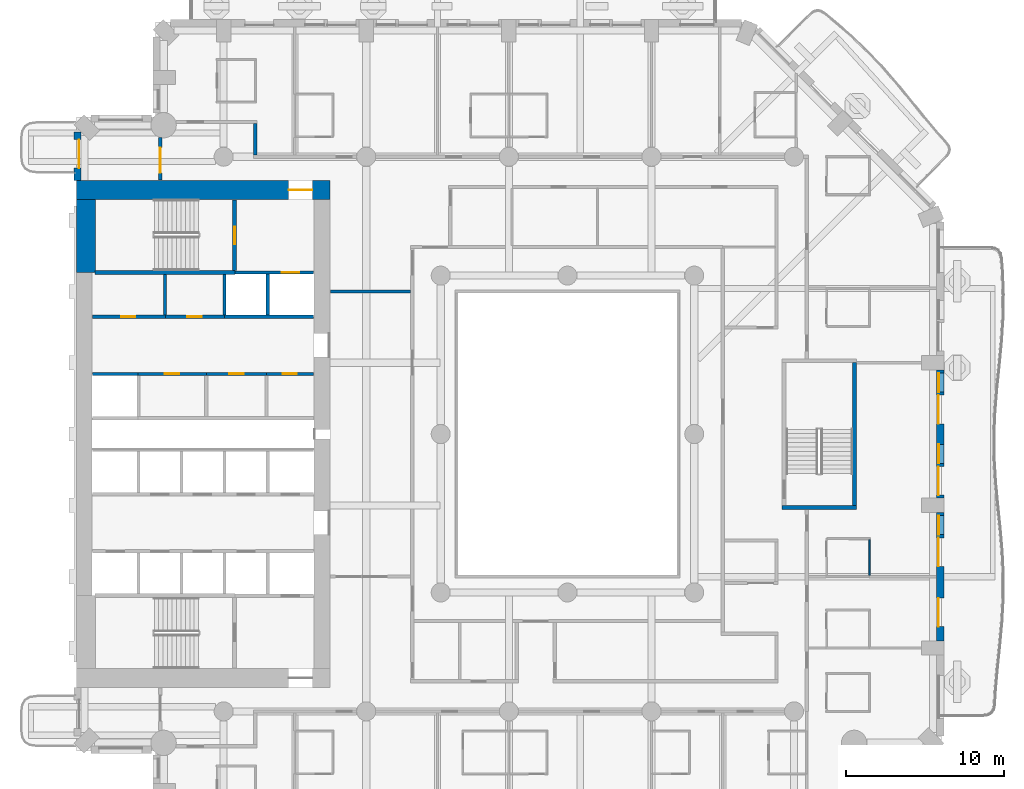
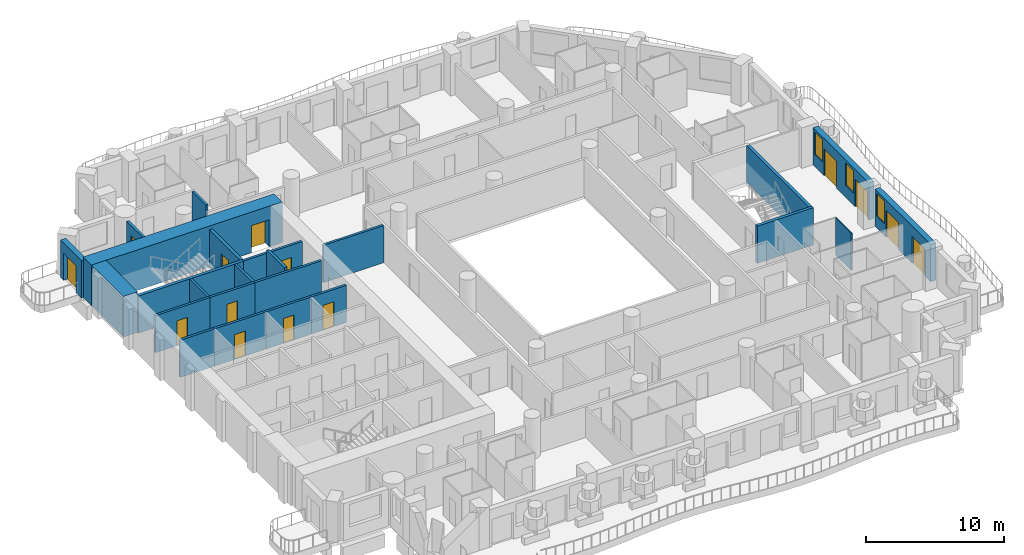
# One storey, part 7 of 20: 24 walls, 14 doors, 3 windows, 17 openings.
"""IFC4 building model written with IfcOpenShell, lengths in metres."""

from ifc_helpers import new_model, si_unit, direction, frame, frame_2d, origin, place, context, subcontext, project, spatial, rectangle, extrude, material, layer, layer_set, type_object, element, fill, save


model = new_model("IFC4")

# Units and contexts
model_context = context("Model", 3, precision=1e-05, world=origin(), true_north=direction((0.0, 1.0)))
body_context = subcontext(model_context, "Body", "Model", "MODEL_VIEW")
ifc_project = project(units=[si_unit("LENGTHUNIT", "METRE"), si_unit("AREAUNIT", "SQUARE_METRE"), si_unit("VOLUMEUNIT", "CUBIC_METRE"), si_unit("PLANEANGLEUNIT", "RADIAN"), si_unit("MASSUNIT", "GRAM", prefix="KILO")], contexts=[model_context])

# Site, building, storey
site_placement = place(None, origin())
site = spatial("IfcSite", under=ifc_project, at=site_placement, CompositionType="ELEMENT")
building_placement = place(site_placement, origin())
building = spatial("IfcBuilding", under=site, at=building_placement, Name="Cypress Arch Tower", CompositionType="ELEMENT")
storey_placement = place(building_placement, frame((0.0, 0.0, 87.89990234375)))
storey = spatial("IfcBuildingStorey", under=building, at=storey_placement, Name="L16", CompositionType="ELEMENT", Elevation=87.89990234375)

# Wall, opening, door
ifc_material_1 = material(Name="Brick (red buff blend)", Category="masonry")
ifc_layer_1 = layer(ifc_material_1, 0.449951171875)
ifc_layer_set_1 = layer_set([ifc_layer_1], Name="Brick pier and spandrel wall BW450")
wall_type_1 = type_object("IfcWallType", Name="Brick pier and spandrel wall BW450", PredefinedType="SOLIDWALL", material=ifc_layer_set_1)
wall_1_placement = place(storey_placement, frame((-29.925048828125, 19.063720703125, 0.0), z_axis=(0.0, 0.0, 1.0), x_axis=(0.0, -1.0, 0.0)))
wall_1 = element("IfcWall", 1, at=wall_1_placement, inside=storey, type_object=wall_type_1, Name="Brick wall L16 A00.0", PredefinedType="SOLIDWALL", context=body_context, shape_type="SweptSolid", body=[
    extrude(rectangle(XDim=3.063720703125, YDim=0.449951171875, at=frame_2d((1.53173828125, 0.0))), origin(), (0.0, 0.0, 1.0), 3.300048828125),
])
opening_1_placement = place(wall_1_placement, frame((0.481689453125, 0.0, 0.0)))
opening_1 = element("IfcOpeningElement", 2, at=opening_1_placement, cuts=wall_1, Name="Opening D-L16-A00.0.1", PredefinedType="OPENING", context=body_context, shape_type="SweptSolid", body=[
    extrude(rectangle(XDim=1.800048828125, YDim=2.39990234375, at=frame_2d((0.89990234375, 1.199951171875))), frame((0.0, 0.23486328125, 0.0), z_axis=(0.0, -1.0, 0.0), x_axis=(1.0, 0.0, 0.0)), (0.0, 0.0, 1.0), 0.469970703125),
])
ifc_material_2 = material(Name="Anodised aluminium, bronze finish, laminated low-emissivity double glazing, large-missile impact rated", Category="aluminium")
door_type_1 = type_object("IfcDoorType", Name="Balcony sliding door 1800x2400", OperationType="SLIDING_TO_LEFT", PredefinedType="DOOR", material=ifc_material_2)
door_1_placement = place(opening_1_placement, origin())
door_1 = element("IfcDoor", 3, at=door_1_placement, inside=storey, type_object=door_type_1, Name="Balcony door L16 A00.0.1", OperationType="SLIDING_TO_LEFT", OverallHeight=2.39990234375, OverallWidth=1.800048828125, PredefinedType="DOOR", context=body_context, shape_type="SweptSolid", body=[
    extrude(rectangle(XDim=1.800048828125, YDim=2.39990234375, at=frame_2d((0.89990234375, 1.199951171875))), frame((0.0, 0.1298828125, 0.0), z_axis=(0.0, -1.0, 0.0), x_axis=(1.0, 0.0, 0.0)), (0.0, 0.0, 1.0), 0.050048828125),
])
fill(opening_1, door_1)

# Wall, openings, doors, window
wall_2_placement = place(storey_placement, frame((24.52490234375, -13.050048828125, 0.0), z_axis=(0.0, 0.0, 1.0), x_axis=(0.0, 1.0, 0.0)))
wall_2 = element("IfcWall", 4, at=wall_2_placement, inside=storey, type_object=wall_type_1, Name="Brick wall L16 A06.1", PredefinedType="SOLIDWALL", context=body_context, shape_type="SweptSolid", body=[
    extrude(rectangle(XDim=8.10009765625, YDim=0.449951171875, at=frame_2d((4.050048828125, 0.0))), origin(), (0.0, 0.0, 1.0), 3.300048828125),
])
opening_2_placement = place(wall_2_placement, frame((0.89990234375, 0.0, 0.0)))
opening_2 = element("IfcOpeningElement", 5, at=opening_2_placement, cuts=wall_2, Name="Opening D-L16-A06.1.1", PredefinedType="OPENING", context=body_context, shape_type="SweptSolid", body=[
    extrude(rectangle(XDim=1.800048828125, YDim=2.39990234375, at=frame_2d((0.89990234375, 1.199951171875))), frame((0.0, 0.23486328125, 0.0), z_axis=(0.0, -1.0, 0.0), x_axis=(1.0, 0.0, 0.0)), (0.0, 0.0, 1.0), 0.469970703125),
])
opening_3_placement = place(wall_2_placement, frame((4.699951171875, 0.0, 0.0)))
opening_3 = element("IfcOpeningElement", 6, at=opening_3_placement, cuts=wall_2, Name="Opening D-L16-A06.1.2", PredefinedType="OPENING", context=body_context, shape_type="SweptSolid", body=[
    extrude(rectangle(XDim=1.800048828125, YDim=2.39990234375, at=frame_2d((0.89990234375, 1.199951171875))), frame((0.0, 0.23486328125, 0.0), z_axis=(0.0, -1.0, 0.0), x_axis=(1.0, 0.0, 0.0)), (0.0, 0.0, 1.0), 0.469970703125),
])
opening_4_placement = place(wall_2_placement, frame((6.699951171875, 0.0, 1.050048828125)))
opening_4 = element("IfcOpeningElement", 7, at=opening_4_placement, cuts=wall_2, Name="Opening W120HD", PredefinedType="OPENING", context=body_context, shape_type="SweptSolid", body=[
    extrude(rectangle(XDim=1.199951171875, YDim=2.0, at=frame_2d((0.60009765625, 1.0))), frame((0.0, 0.23486328125, 0.0), z_axis=(0.0, -1.0, 0.0), x_axis=(1.0, 0.0, 0.0)), (0.0, 0.0, 1.0), 0.469970703125),
])
door_2_placement = place(opening_2_placement, origin())
door_2 = element("IfcDoor", 8, at=door_2_placement, inside=storey, type_object=door_type_1, Name="Balcony door L16 A06.1.1", OperationType="SLIDING_TO_LEFT", OverallHeight=2.39990234375, OverallWidth=1.800048828125, PredefinedType="DOOR", context=body_context, shape_type="SweptSolid", body=[
    extrude(rectangle(XDim=1.800048828125, YDim=2.39990234375, at=frame_2d((0.89990234375, 1.199951171875))), frame((0.0, 0.1298828125, 0.0), z_axis=(0.0, -1.0, 0.0), x_axis=(1.0, 0.0, 0.0)), (0.0, 0.0, 1.0), 0.050048828125),
])
fill(opening_2, door_2)
door_3_placement = place(opening_3_placement, origin())
door_3 = element("IfcDoor", 9, at=door_3_placement, inside=storey, type_object=door_type_1, Name="Balcony door L16 A06.1.2", OperationType="SLIDING_TO_LEFT", OverallHeight=2.39990234375, OverallWidth=1.800048828125, PredefinedType="DOOR", context=body_context, shape_type="SweptSolid", body=[
    extrude(rectangle(XDim=1.800048828125, YDim=2.39990234375, at=frame_2d((0.89990234375, 1.199951171875))), frame((0.0, 0.1298828125, 0.0), z_axis=(0.0, -1.0, 0.0), x_axis=(1.0, 0.0, 0.0)), (0.0, 0.0, 1.0), 0.050048828125),
])
fill(opening_3, door_3)
ifc_material_3 = material(Name="Anodised aluminium, bronze finish, laminated low-emissivity double glazing, large-missile impact rated", Category="aluminium")
window_type = type_object("IfcWindowType", Name="Window Hotel 1200x2000 debris-rated", PartitioningType="SINGLE_PANEL", PredefinedType="WINDOW", material=ifc_material_3)
window_1_placement = place(opening_4_placement, origin())
window_1 = element("IfcWindow", 10, at=window_1_placement, inside=storey, type_object=window_type, Name="Window L16 A06.1.2", OverallHeight=2.0, OverallWidth=1.199951171875, PartitioningType="SINGLE_PANEL", PredefinedType="WINDOW", context=body_context, shape_type="SweptSolid", body=[
    extrude(rectangle(XDim=1.199951171875, YDim=2.0, at=frame_2d((0.60009765625, 1.0))), frame((0.0, 0.135009765625, 0.0), z_axis=(0.0, -1.0, 0.0), x_axis=(1.0, 0.0, 0.0)), (0.0, 0.0, 1.0), 0.06005859375),
])
fill(opening_4, window_1)

# Wall, openings, doors, windows
wall_3_placement = place(storey_placement, frame((24.52490234375, -4.050048828125, 0.0), z_axis=(0.0, 0.0, 1.0), x_axis=(0.0, 1.0, 0.0)))
wall_3 = element("IfcWall", 11, at=wall_3_placement, inside=storey, type_object=wall_type_1, Name="Brick wall L16 A06.2", PredefinedType="SOLIDWALL", context=body_context, shape_type="SweptSolid", body=[
    extrude(rectangle(XDim=8.10009765625, YDim=0.449951171875, at=frame_2d((4.050048828125, 0.0))), origin(), (0.0, 0.0, 1.0), 3.300048828125),
])
opening_5_placement = place(wall_3_placement, frame((0.199951171875, 0.0, 0.0)))
opening_5 = element("IfcOpeningElement", 12, at=opening_5_placement, cuts=wall_3, Name="Opening D-L16-A06.2.1", PredefinedType="OPENING", context=body_context, shape_type="SweptSolid", body=[
    extrude(rectangle(XDim=1.800048828125, YDim=2.39990234375, at=frame_2d((0.89990234375, 1.199951171875))), frame((0.0, 0.23486328125, 0.0), z_axis=(0.0, -1.0, 0.0), x_axis=(1.0, 0.0, 0.0)), (0.0, 0.0, 1.0), 0.469970703125),
])
opening_6_placement = place(wall_3_placement, frame((2.199951171875, 0.0, 1.050048828125)))
opening_6 = element("IfcOpeningElement", 13, at=opening_6_placement, cuts=wall_3, Name="Opening W120HD", PredefinedType="OPENING", context=body_context, shape_type="SweptSolid", body=[
    extrude(rectangle(XDim=1.199951171875, YDim=2.0, at=frame_2d((0.60009765625, 1.0))), frame((0.0, 0.23486328125, 0.0), z_axis=(0.0, -1.0, 0.0), x_axis=(1.0, 0.0, 0.0)), (0.0, 0.0, 1.0), 0.469970703125),
])
opening_7_placement = place(wall_3_placement, frame((4.699951171875, 0.0, 0.0)))
opening_7 = element("IfcOpeningElement", 14, at=opening_7_placement, cuts=wall_3, Name="Opening D-L16-A06.2.2", PredefinedType="OPENING", context=body_context, shape_type="SweptSolid", body=[
    extrude(rectangle(XDim=1.800048828125, YDim=2.39990234375, at=frame_2d((0.89990234375, 1.199951171875))), frame((0.0, 0.23486328125, 0.0), z_axis=(0.0, -1.0, 0.0), x_axis=(1.0, 0.0, 0.0)), (0.0, 0.0, 1.0), 0.469970703125),
])
opening_8_placement = place(wall_3_placement, frame((6.699951171875, 0.0, 1.050048828125)))
opening_8 = element("IfcOpeningElement", 15, at=opening_8_placement, cuts=wall_3, Name="Opening W120HD", PredefinedType="OPENING", context=body_context, shape_type="SweptSolid", body=[
    extrude(rectangle(XDim=1.199951171875, YDim=2.0, at=frame_2d((0.60009765625, 1.0))), frame((0.0, 0.23486328125, 0.0), z_axis=(0.0, -1.0, 0.0), x_axis=(1.0, 0.0, 0.0)), (0.0, 0.0, 1.0), 0.469970703125),
])
door_4_placement = place(opening_5_placement, origin())
door_4 = element("IfcDoor", 16, at=door_4_placement, inside=storey, type_object=door_type_1, Name="Balcony door L16 A06.2.1", OperationType="SLIDING_TO_LEFT", OverallHeight=2.39990234375, OverallWidth=1.800048828125, PredefinedType="DOOR", context=body_context, shape_type="SweptSolid", body=[
    extrude(rectangle(XDim=1.800048828125, YDim=2.39990234375, at=frame_2d((0.89990234375, 1.199951171875))), frame((0.0, 0.1298828125, 0.0), z_axis=(0.0, -1.0, 0.0), x_axis=(1.0, 0.0, 0.0)), (0.0, 0.0, 1.0), 0.050048828125),
])
fill(opening_5, door_4)
door_5_placement = place(opening_7_placement, origin())
door_5 = element("IfcDoor", 17, at=door_5_placement, inside=storey, type_object=door_type_1, Name="Balcony door L16 A06.2.2", OperationType="SLIDING_TO_LEFT", OverallHeight=2.39990234375, OverallWidth=1.800048828125, PredefinedType="DOOR", context=body_context, shape_type="SweptSolid", body=[
    extrude(rectangle(XDim=1.800048828125, YDim=2.39990234375, at=frame_2d((0.89990234375, 1.199951171875))), frame((0.0, 0.1298828125, 0.0), z_axis=(0.0, -1.0, 0.0), x_axis=(1.0, 0.0, 0.0)), (0.0, 0.0, 1.0), 0.050048828125),
])
fill(opening_7, door_5)
window_2_placement = place(opening_6_placement, origin())
window_2 = element("IfcWindow", 18, at=window_2_placement, inside=storey, type_object=window_type, Name="Window L16 A06.2.1", OverallHeight=2.0, OverallWidth=1.199951171875, PartitioningType="SINGLE_PANEL", PredefinedType="WINDOW", context=body_context, shape_type="SweptSolid", body=[
    extrude(rectangle(XDim=1.199951171875, YDim=2.0, at=frame_2d((0.60009765625, 1.0))), frame((0.0, 0.135009765625, 0.0), z_axis=(0.0, -1.0, 0.0), x_axis=(1.0, 0.0, 0.0)), (0.0, 0.0, 1.0), 0.06005859375),
])
fill(opening_6, window_2)
window_3_placement = place(opening_8_placement, origin())
window_3 = element("IfcWindow", 19, at=window_3_placement, inside=storey, type_object=window_type, Name="Window L16 A06.2.2", OverallHeight=2.0, OverallWidth=1.199951171875, PartitioningType="SINGLE_PANEL", PredefinedType="WINDOW", context=body_context, shape_type="SweptSolid", body=[
    extrude(rectangle(XDim=1.199951171875, YDim=2.0, at=frame_2d((0.60009765625, 1.0))), frame((0.0, 0.135009765625, 0.0), z_axis=(0.0, -1.0, 0.0), x_axis=(1.0, 0.0, 0.0)), (0.0, 0.0, 1.0), 0.06005859375),
])
fill(opening_8, window_3)

# Wall, opening, door
ifc_material_4 = material(Name="Concrete C80/95", Category="concrete")
ifc_layer_2 = layer(ifc_material_4, 1.199951171875)
ifc_layer_set_2 = layer_set([ifc_layer_2], Name="Core wall CW1200 C80/95")
wall_type_2 = type_object("IfcWallType", Name="Core wall CW1200 C80/95", PredefinedType="SHEAR", material=ifc_layer_set_2)
wall_4_placement = place(storey_placement, frame((-30.0, 15.39990234375, 0.0), z_axis=(0.0, 0.0, 1.0), x_axis=(1.0, 0.0, 0.0)))
wall_4 = element("IfcWall", 20, at=wall_4_placement, inside=storey, type_object=wall_type_2, Name="Core wall", PredefinedType="SHEAR", context=body_context, shape_type="SweptSolid", body=[
    extrude(rectangle(XDim=16.0, YDim=1.199951171875, at=frame_2d((8.0, 0.0))), origin(), (0.0, 0.0, 1.0), 3.60009765625),
])
opening_9_placement = place(wall_4_placement, frame((13.39990234375, 0.0, 0.0)))
opening_9 = element("IfcOpeningElement", 21, at=opening_9_placement, cuts=wall_4, Name="Opening D07", PredefinedType="OPENING", context=body_context, shape_type="SweptSolid", body=[
    extrude(rectangle(XDim=1.5, YDim=2.39990234375, at=frame_2d((0.75, 1.199951171875))), frame((0.0, 0.60986328125, 0.0), z_axis=(0.0, -1.0, 0.0), x_axis=(1.0, 0.0, 0.0)), (0.0, 0.0, 1.0), 1.219970703125),
])
ifc_material_5 = material(Name="Steel framed glazed door, fire resisting", Category="steel")
door_type_2 = type_object("IfcDoorType", Name="Lobby door D07 1500x2400", OperationType="DOUBLE_DOOR_SINGLE_SWING", PredefinedType="DOOR", material=ifc_material_5)
door_6_placement = place(opening_9_placement, origin())
door_6 = element("IfcDoor", 22, at=door_6_placement, inside=storey, type_object=door_type_2, Name="Lobby door", OperationType="DOUBLE_DOOR_SINGLE_SWING", OverallHeight=2.39990234375, OverallWidth=1.5, PredefinedType="DOOR", context=body_context, shape_type="SweptSolid", body=[
    extrude(rectangle(XDim=1.5, YDim=2.39990234375, at=frame_2d((0.75, 1.199951171875))), frame((0.0, 0.02490234375, 0.0), z_axis=(0.0, -1.0, 0.0), x_axis=(1.0, 0.0, 0.0)), (0.0, 0.0, 1.0), 0.050048828125),
])
fill(opening_9, door_6)

# Wall
wall_5_placement = place(storey_placement, frame((-29.39990234375, 10.199951171875, 0.0), z_axis=(0.0, 0.0, 1.0), x_axis=(0.0, 1.0, 0.0)))
element("IfcWall", 23, at=wall_5_placement, inside=storey, type_object=wall_type_2, Name="Core wall", PredefinedType="SHEAR", context=body_context, shape_type="SweptSolid", body=[
    extrude(rectangle(XDim=4.60009765625, YDim=1.199951171875, at=frame_2d((2.300048828125, 0.0))), origin(), (0.0, 0.0, 1.0), 3.60009765625),
])

# Wall, opening, door
ifc_material_6 = material(Name="Concrete blockwork, plastered, rated", Category="masonry")
ifc_layer_3 = layer(ifc_material_6, 0.199951171875)
ifc_layer_set_3 = layer_set([ifc_layer_3], Name="Corridor wall FW200")
wall_type_3 = type_object("IfcWallType", Name="Corridor wall FW200", PredefinedType="PARTITIONING", material=ifc_layer_set_3)
wall_6_placement = place(storey_placement, frame((-26.10009765625, 3.800048828125, 0.0), z_axis=(0.0, 0.0, 1.0), x_axis=(1.0, 0.0, 0.0)))
wall_6 = element("IfcWall", 24, at=wall_6_placement, inside=storey, type_object=wall_type_3, Name="Corridor wall", PredefinedType="PARTITIONING", context=body_context, shape_type="SweptSolid", body=[
    extrude(rectangle(XDim=4.320068359375, YDim=0.199951171875, at=frame_2d((2.16015625, 0.0))), origin(), (0.0, 0.0, 1.0), 3.300048828125),
])
opening_10_placement = place(wall_6_placement, frame((1.699951171875, 0.0, 0.0)))
opening_10 = element("IfcOpeningElement", 25, at=opening_10_placement, cuts=wall_6, Name="Opening D05", PredefinedType="OPENING", context=body_context, shape_type="SweptSolid", body=[
    extrude(rectangle(XDim=0.89990234375, YDim=2.199951171875, at=frame_2d((0.449951171875, 1.10009765625))), frame((0.0, 0.10986328125, 0.0), z_axis=(0.0, -1.0, 0.0), x_axis=(1.0, 0.0, 0.0)), (0.0, 0.0, 1.0), 0.219970703125),
])
ifc_material_7 = material(Name="Timber flush door", Category="wood")
door_type_3 = type_object("IfcDoorType", Name="Service door D05 900x2200", OperationType="SINGLE_SWING_LEFT", PredefinedType="DOOR", material=ifc_material_7)
door_7_placement = place(opening_10_placement, origin())
door_7 = element("IfcDoor", 26, at=door_7_placement, inside=storey, type_object=door_type_3, Name="Service door", OperationType="SINGLE_SWING_RIGHT", OverallHeight=2.199951171875, OverallWidth=0.89990234375, PredefinedType="DOOR", context=body_context, shape_type="SweptSolid", body=[
    extrude(rectangle(XDim=0.89990234375, YDim=2.199951171875, at=frame_2d((0.449951171875, 1.10009765625))), frame((0.0, 0.02490234375, 0.0), z_axis=(0.0, -1.0, 0.0), x_axis=(1.0, 0.0, 0.0)), (0.0, 0.0, 1.0), 0.050048828125),
])
fill(opening_10, door_7)

wall_7_placement = place(storey_placement, frame((-24.699951171875, 16.030029296875, 0.0), z_axis=(0.0, 0.0, 1.0), x_axis=(0.0, 1.0, 0.0)))
wall_7 = element("IfcWall", 27, at=wall_7_placement, inside=storey, type_object=wall_type_3, Name="Corridor wall", PredefinedType="PARTITIONING", context=body_context, shape_type="SweptSolid", body=[
    extrude(rectangle(XDim=2.670166015625, YDim=0.199951171875, at=frame_2d((1.3349609375, 0.0))), origin(), (0.0, 0.0, 1.0), 3.300048828125),
])
opening_11_placement = place(wall_7_placement, frame((0.449951171875, 0.0, 0.0)))
opening_11 = element("IfcOpeningElement", 28, at=opening_11_placement, cuts=wall_7, Name="Opening D10", PredefinedType="OPENING", context=body_context, shape_type="SweptSolid", body=[
    extrude(rectangle(XDim=1.60009765625, YDim=2.39990234375, at=frame_2d((0.800048828125, 1.199951171875))), frame((0.0, 0.10986328125, 0.0), z_axis=(0.0, -1.0, 0.0), x_axis=(1.0, 0.0, 0.0)), (0.0, 0.0, 1.0), 0.219970703125),
])
ifc_material_8 = material(Name="Black aluminium glazed door", Category="aluminium")
door_type_4 = type_object("IfcDoorType", Name="Amenity door D10 1600x2400", OperationType="DOUBLE_DOOR_SINGLE_SWING", PredefinedType="DOOR", material=ifc_material_8)
door_8_placement = place(opening_11_placement, origin())
door_8 = element("IfcDoor", 29, at=door_8_placement, inside=storey, type_object=door_type_4, Name="Amenity door", OperationType="DOUBLE_DOOR_SINGLE_SWING", OverallHeight=2.39990234375, OverallWidth=1.60009765625, PredefinedType="DOOR", context=body_context, shape_type="SweptSolid", body=[
    extrude(rectangle(XDim=1.60009765625, YDim=2.39990234375, at=frame_2d((0.800048828125, 1.199951171875))), frame((0.0, 0.02490234375, 0.0), z_axis=(0.0, -1.0, 0.0), x_axis=(1.0, 0.0, 0.0)), (0.0, 0.0, 1.0), 0.050048828125),
])
fill(opening_11, door_8)

wall_8_placement = place(storey_placement, frame((-24.3798828125, 7.39990234375, 0.0), z_axis=(0.0, 0.0, 1.0), x_axis=(1.0, 0.0, 0.0)))
wall_8 = element("IfcWall", 30, at=wall_8_placement, inside=storey, type_object=wall_type_3, Name="Corridor wall", PredefinedType="PARTITIONING", context=body_context, shape_type="SweptSolid", body=[
    extrude(rectangle(XDim=3.739990234375, YDim=0.199951171875, at=frame_2d((1.8701171875, 0.0))), origin(), (0.0, 0.0, 1.0), 3.300048828125),
])
opening_12_placement = place(wall_8_placement, frame((1.39990234375, 0.0, 0.0)))
opening_12 = element("IfcOpeningElement", 31, at=opening_12_placement, cuts=wall_8, Name="Opening D05", PredefinedType="OPENING", context=body_context, shape_type="SweptSolid", body=[
    extrude(rectangle(XDim=0.89990234375, YDim=2.199951171875, at=frame_2d((0.449951171875, 1.10009765625))), frame((0.0, 0.10986328125, 0.0), z_axis=(0.0, -1.0, 0.0), x_axis=(1.0, 0.0, 0.0)), (0.0, 0.0, 1.0), 0.219970703125),
])
door_9_placement = place(opening_12_placement, origin())
door_9 = element("IfcDoor", 32, at=door_9_placement, inside=storey, type_object=door_type_3, Name="Service door", OperationType="SINGLE_SWING_LEFT", OverallHeight=2.199951171875, OverallWidth=0.89990234375, PredefinedType="DOOR", context=body_context, shape_type="SweptSolid", body=[
    extrude(rectangle(XDim=0.89990234375, YDim=2.199951171875, at=frame_2d((0.449951171875, 1.10009765625))), frame((0.0, 0.02490234375, 0.0), z_axis=(0.0, -1.0, 0.0), x_axis=(1.0, 0.0, 0.0)), (0.0, 0.0, 1.0), 0.050048828125),
])
fill(opening_12, door_9)

# Wall
wall_9_placement = place(storey_placement, frame((-18.699951171875, 17.60009765625, 0.0), z_axis=(0.0, 0.0, 1.0), x_axis=(0.0, 1.0, 0.0)))
element("IfcWall", 33, at=wall_9_placement, inside=storey, type_object=wall_type_3, Name="Corridor wall", PredefinedType="PARTITIONING", context=body_context, shape_type="SweptSolid", body=[
    extrude(rectangle(XDim=2.0, YDim=0.199951171875, at=frame_2d((1.0, 0.0))), origin(), (0.0, 0.0, 1.0), 3.300048828125),
])

# Wall, opening, door
wall_10_placement = place(storey_placement, frame((-17.97998046875, 3.800048828125, 0.0), z_axis=(0.0, 0.0, 1.0), x_axis=(1.0, 0.0, 0.0)))
wall_10 = element("IfcWall", 34, at=wall_10_placement, inside=storey, type_object=wall_type_3, Name="Corridor wall", PredefinedType="PARTITIONING", context=body_context, shape_type="SweptSolid", body=[
    extrude(rectangle(XDim=2.949951171875, YDim=0.199951171875, at=frame_2d((1.47509765625, 0.0))), origin(), (0.0, 0.0, 1.0), 3.300048828125),
])
opening_13_placement = place(wall_10_placement, frame((1.0, 0.0, 0.0)))
opening_13 = element("IfcOpeningElement", 35, at=opening_13_placement, cuts=wall_10, Name="Opening D05", PredefinedType="OPENING", context=body_context, shape_type="SweptSolid", body=[
    extrude(rectangle(XDim=0.89990234375, YDim=2.199951171875, at=frame_2d((0.449951171875, 1.10009765625))), frame((0.0, 0.10986328125, 0.0), z_axis=(0.0, -1.0, 0.0), x_axis=(1.0, 0.0, 0.0)), (0.0, 0.0, 1.0), 0.219970703125),
])
door_10_placement = place(opening_13_placement, origin())
door_10 = element("IfcDoor", 36, at=door_10_placement, inside=storey, type_object=door_type_3, Name="Service door", OperationType="SINGLE_SWING_RIGHT", OverallHeight=2.199951171875, OverallWidth=0.89990234375, PredefinedType="DOOR", context=body_context, shape_type="SweptSolid", body=[
    extrude(rectangle(XDim=0.89990234375, YDim=2.199951171875, at=frame_2d((0.449951171875, 1.10009765625))), frame((0.0, 0.02490234375, 0.0), z_axis=(0.0, -1.0, 0.0), x_axis=(1.0, 0.0, 0.0)), (0.0, 0.0, 1.0), 0.050048828125),
])
fill(opening_13, door_10)

# Wall
wall_11_placement = place(storey_placement, frame((-13.969970703125, 9.0, 0.0), z_axis=(0.0, 0.0, 1.0), x_axis=(1.0, 0.0, 0.0)))
element("IfcWall", 37, at=wall_11_placement, inside=storey, type_object=wall_type_3, Name="Corridor wall", PredefinedType="PARTITIONING", context=body_context, shape_type="SweptSolid", body=[
    extrude(rectangle(XDim=5.070068359375, YDim=0.199951171875, at=frame_2d((2.53515625, 0.0))), origin(), (0.0, 0.0, 1.0), 3.300048828125),
])

# Wall, opening, door
ifc_material_9 = material(Name="Reinforced blockwork, plastered, rated", Category="masonry")
ifc_layer_4 = layer(ifc_material_9, 0.199951171875)
ifc_layer_set_4 = layer_set([ifc_layer_4], Name="Plant and riser wall PL200")
wall_type_4 = type_object("IfcWallType", Name="Plant and riser wall PL200", PredefinedType="PARTITIONING", material=ifc_layer_set_4)
wall_12_placement = place(storey_placement, frame((-28.969970703125, 7.39990234375, 0.0), z_axis=(0.0, 0.0, 1.0), x_axis=(1.0, 0.0, 0.0)))
wall_12 = element("IfcWall", 38, at=wall_12_placement, inside=storey, type_object=wall_type_4, Name="Plant and riser wall", PredefinedType="PARTITIONING", context=body_context, shape_type="SweptSolid", body=[
    extrude(rectangle(XDim=4.590087890625, YDim=0.199951171875, at=frame_2d((2.294921875, 0.0))), origin(), (0.0, 0.0, 1.0), 3.300048828125),
])
opening_14_placement = place(wall_12_placement, frame((1.800048828125, 0.0, 0.0)))
opening_14 = element("IfcOpeningElement", 39, at=opening_14_placement, cuts=wall_12, Name="Opening D05", PredefinedType="OPENING", context=body_context, shape_type="SweptSolid", body=[
    extrude(rectangle(XDim=0.89990234375, YDim=2.199951171875, at=frame_2d((0.449951171875, 1.10009765625))), frame((0.0, 0.10986328125, 0.0), z_axis=(0.0, -1.0, 0.0), x_axis=(1.0, 0.0, 0.0)), (0.0, 0.0, 1.0), 0.219970703125),
])
door_11_placement = place(opening_14_placement, origin())
door_11 = element("IfcDoor", 40, at=door_11_placement, inside=storey, type_object=door_type_3, Name="Service door", OperationType="SINGLE_SWING_RIGHT", OverallHeight=2.199951171875, OverallWidth=0.89990234375, PredefinedType="DOOR", context=body_context, shape_type="SweptSolid", body=[
    extrude(rectangle(XDim=0.89990234375, YDim=2.199951171875, at=frame_2d((0.449951171875, 1.10009765625))), frame((0.0, 0.02490234375, 0.0), z_axis=(0.0, -1.0, 0.0), x_axis=(1.0, 0.0, 0.0)), (0.0, 0.0, 1.0), 0.050048828125),
])
fill(opening_14, door_11)

# Wall
wall_13_placement = place(storey_placement, frame((-24.39990234375, 7.5, 0.0), z_axis=(0.0, 0.0, 1.0), x_axis=(0.0, 1.0, 0.0)))
element("IfcWall", 41, at=wall_13_placement, inside=storey, type_object=wall_type_4, Name="Plant and riser wall", PredefinedType="PARTITIONING", context=body_context, shape_type="SweptSolid", body=[
    extrude(rectangle(XDim=2.574951171875, YDim=0.199951171875, at=frame_2d((1.28759765625, 0.0))), origin(), (0.0, 0.0, 1.0), 3.300048828125),
])

# Wall, opening, door
wall_14_placement = place(storey_placement, frame((-21.780029296875, 3.800048828125, 0.0), z_axis=(0.0, 0.0, 1.0), x_axis=(1.0, 0.0, 0.0)))
wall_14 = element("IfcWall", 42, at=wall_14_placement, inside=storey, type_object=wall_type_4, Name="Plant and riser wall", PredefinedType="PARTITIONING", context=body_context, shape_type="SweptSolid", body=[
    extrude(rectangle(XDim=3.800048828125, YDim=0.199951171875, at=frame_2d((1.89990234375, 0.0))), origin(), (0.0, 0.0, 1.0), 3.300048828125),
])
opening_15_placement = place(wall_14_placement, frame((1.449951171875, 0.0, 0.0)))
opening_15 = element("IfcOpeningElement", 43, at=opening_15_placement, cuts=wall_14, Name="Opening D05", PredefinedType="OPENING", context=body_context, shape_type="SweptSolid", body=[
    extrude(rectangle(XDim=0.89990234375, YDim=2.199951171875, at=frame_2d((0.449951171875, 1.10009765625))), frame((0.0, 0.10986328125, 0.0), z_axis=(0.0, -1.0, 0.0), x_axis=(1.0, 0.0, 0.0)), (0.0, 0.0, 1.0), 0.219970703125),
])
door_12_placement = place(opening_15_placement, origin())
door_12 = element("IfcDoor", 44, at=door_12_placement, inside=storey, type_object=door_type_3, Name="Service door", OperationType="SINGLE_SWING_LEFT", OverallHeight=2.199951171875, OverallWidth=0.89990234375, PredefinedType="DOOR", context=body_context, shape_type="SweptSolid", body=[
    extrude(rectangle(XDim=0.89990234375, YDim=2.199951171875, at=frame_2d((0.449951171875, 1.10009765625))), frame((0.0, 0.02490234375, 0.0), z_axis=(0.0, -1.0, 0.0), x_axis=(1.0, 0.0, 0.0)), (0.0, 0.0, 1.0), 0.050048828125),
])
fill(opening_15, door_12)

# Walls
ifc_material_10 = material(Name="Concrete C50/60", Category="concrete")
ifc_layer_5 = layer(ifc_material_10, 0.199951171875)
ifc_layer_set_5 = layer_set([ifc_layer_5], Name="Shaft wall SH200")
wall_type_5 = type_object("IfcWallType", Name="Shaft wall SH200", PredefinedType="SHEAR", material=ifc_layer_set_5)
wall_15_placement = place(storey_placement, frame((-28.969970703125, 3.800048828125, 0.0), z_axis=(0.0, 0.0, 1.0), x_axis=(1.0, 0.0, 0.0)))
element("IfcWall", 45, at=wall_15_placement, inside=storey, type_object=wall_type_5, Name="Shaft wall", PredefinedType="SHEAR", context=body_context, shape_type="SweptSolid", body=[
    extrude(rectangle(XDim=2.869873046875, YDim=0.199951171875, at=frame_2d((1.43505859375, 0.0))), origin(), (0.0, 0.0, 1.0), 3.300048828125),
])
wall_16_placement = place(storey_placement, frame((-20.639892578125, 7.5, 0.0), z_axis=(0.0, 0.0, 1.0), x_axis=(0.0, 1.0, 0.0)))
element("IfcWall", 46, at=wall_16_placement, inside=storey, type_object=wall_type_5, Name="Shaft wall", PredefinedType="SHEAR", context=body_context, shape_type="SweptSolid", body=[
    extrude(rectangle(XDim=2.574951171875, YDim=0.199951171875, at=frame_2d((1.28759765625, 0.0))), origin(), (0.0, 0.0, 1.0), 3.300048828125),
])
wall_17_placement = place(storey_placement, frame((-20.639892578125, 7.39990234375, 0.0), z_axis=(0.0, 0.0, 1.0), x_axis=(1.0, 0.0, 0.0)))
element("IfcWall", 47, at=wall_17_placement, inside=storey, type_object=wall_type_5, Name="Shaft wall", PredefinedType="SHEAR", context=body_context, shape_type="SweptSolid", body=[
    extrude(rectangle(XDim=5.60986328125, YDim=0.199951171875, at=frame_2d((2.804931640625, 0.0))), origin(), (0.0, 0.0, 1.0), 3.300048828125),
])

# Wall, opening, door
wall_18_placement = place(storey_placement, frame((-19.97998046875, 10.199951171875, 0.0), z_axis=(0.0, 0.0, 1.0), x_axis=(1.0, 0.0, 0.0)))
wall_18 = element("IfcWall", 48, at=wall_18_placement, inside=storey, type_object=wall_type_5, Name="Shaft wall", PredefinedType="SHEAR", context=body_context, shape_type="SweptSolid", body=[
    extrude(rectangle(XDim=4.949951171875, YDim=0.199951171875, at=frame_2d((2.47509765625, 0.0))), origin(), (0.0, 0.0, 1.0), 3.300048828125),
])
opening_16_placement = place(wall_18_placement, frame((2.949951171875, 0.0, 0.0)))
opening_16 = element("IfcOpeningElement", 49, at=opening_16_placement, cuts=wall_18, Name="Opening LD-FL2", PredefinedType="OPENING", context=body_context, shape_type="SweptSolid", body=[
    extrude(rectangle(XDim=1.10009765625, YDim=2.199951171875, at=frame_2d((0.550048828125, 1.10009765625))), frame((0.0, 0.10986328125, 0.0), z_axis=(0.0, -1.0, 0.0), x_axis=(1.0, 0.0, 0.0)), (0.0, 0.0, 1.0), 0.219970703125),
])
ifc_material_11 = material(Name="Stainless steel centre-opening landing door, rated", Category="steel")
door_type_5 = type_object("IfcDoorType", Name="Lift landing door LD 1100x2200", OperationType="DOUBLE_DOOR_SLIDING", PredefinedType="DOOR", material=ifc_material_11)
door_13_placement = place(opening_16_placement, origin())
door_13 = element("IfcDoor", 50, at=door_13_placement, inside=storey, type_object=door_type_5, Name="Lift landing doors FL2", OperationType="DOUBLE_DOOR_SLIDING", OverallHeight=2.199951171875, OverallWidth=1.10009765625, PredefinedType="DOOR", context=body_context, shape_type="SweptSolid", body=[
    extrude(rectangle(XDim=1.10009765625, YDim=2.199951171875, at=frame_2d((0.550048828125, 1.10009765625))), frame((0.0, 0.02490234375, 0.0), z_axis=(0.0, -1.0, 0.0), x_axis=(1.0, 0.0, 0.0)), (0.0, 0.0, 1.0), 0.050048828125),
])
fill(opening_16, door_13)

# Walls
wall_19_placement = place(storey_placement, frame((-17.919921875, 7.5, 0.0), z_axis=(0.0, 0.0, 1.0), x_axis=(0.0, 1.0, 0.0)))
element("IfcWall", 51, at=wall_19_placement, inside=storey, type_object=wall_type_5, Name="Shaft wall", PredefinedType="SHEAR", context=body_context, shape_type="SweptSolid", body=[
    extrude(rectangle(XDim=2.60009765625, YDim=0.199951171875, at=frame_2d((1.300048828125, 0.0))), origin(), (0.0, 0.0, 1.0), 3.60009765625),
])
ifc_material_12 = material(Name="Concrete C50/60", Category="concrete")
ifc_layer_6 = layer(ifc_material_12, 0.25)
ifc_layer_set_6 = layer_set([ifc_layer_6], Name="Stair enclosure wall SW250")
wall_type_6 = type_object("IfcWallType", Name="Stair enclosure wall SW250", PredefinedType="SHEAR", material=ifc_layer_set_6)
wall_20_placement = place(storey_placement, frame((-28.81005859375, 10.199951171875, 0.0), z_axis=(0.0, 0.0, 1.0), x_axis=(1.0, 0.0, 0.0)))
element("IfcWall", 52, at=wall_20_placement, inside=storey, type_object=wall_type_6, Name="Stair enclosure wall", PredefinedType="SHEAR", context=body_context, shape_type="SweptSolid", body=[
    extrude(rectangle(XDim=8.830078125, YDim=0.25, at=frame_2d((4.4150390625, 0.0))), origin(), (0.0, 0.0, 1.0), 3.300048828125),
])

# Wall, opening, door
wall_21_placement = place(storey_placement, frame((-20.0, 10.324951171875, 0.0), z_axis=(0.0, 0.0, 1.0), x_axis=(0.0, 1.0, 0.0)))
wall_21 = element("IfcWall", 53, at=wall_21_placement, inside=storey, type_object=wall_type_6, Name="Stair enclosure wall", PredefinedType="SHEAR", context=body_context, shape_type="SweptSolid", body=[
    extrude(rectangle(XDim=4.445068359375, YDim=0.25, at=frame_2d((2.22265625, 0.0))), origin(), (0.0, 0.0, 1.0), 3.300048828125),
])
opening_17_placement = place(wall_21_placement, frame((1.64990234375, 0.0, 0.0)))
opening_17 = element("IfcOpeningElement", 54, at=opening_17_placement, cuts=wall_21, Name="Opening D06", PredefinedType="OPENING", context=body_context, shape_type="SweptSolid", body=[
    extrude(rectangle(XDim=1.10009765625, YDim=2.199951171875, at=frame_2d((0.550048828125, 1.10009765625))), frame((0.0, 0.135009765625, 0.0), z_axis=(0.0, -1.0, 0.0), x_axis=(1.0, 0.0, 0.0)), (0.0, 0.0, 1.0), 0.27001953125),
])
ifc_material_13 = material(Name="Steel door, fire resisting, panic bar", Category="steel")
door_type_6 = type_object("IfcDoorType", Name="Stair door D06 1100x2200", OperationType="SINGLE_SWING_LEFT", PredefinedType="DOOR", material=ifc_material_13)
door_14_placement = place(opening_17_placement, origin())
door_14 = element("IfcDoor", 55, at=door_14_placement, inside=storey, type_object=door_type_6, Name="Stair door", OperationType="SINGLE_SWING_LEFT", OverallHeight=2.199951171875, OverallWidth=1.10009765625, PredefinedType="DOOR", context=body_context, shape_type="SweptSolid", body=[
    extrude(rectangle(XDim=1.10009765625, YDim=2.199951171875, at=frame_2d((0.550048828125, 1.10009765625))), frame((0.0, 0.02490234375, 0.0), z_axis=(0.0, -1.0, 0.0), x_axis=(1.0, 0.0, 0.0)), (0.0, 0.0, 1.0), 0.050048828125),
])
fill(opening_17, door_14)

# Walls
wall_22_placement = place(storey_placement, frame((14.550048828125, -4.625, 0.0), z_axis=(0.0, 0.0, 1.0), x_axis=(1.0, 0.0, 0.0)))
element("IfcWall", 56, at=wall_22_placement, inside=storey, type_object=wall_type_6, Name="Stair enclosure wall", PredefinedType="SHEAR", context=body_context, shape_type="SweptSolid", body=[
    extrude(rectangle(XDim=4.699951171875, YDim=0.25, at=frame_2d((2.35009765625, 0.0))), origin(), (0.0, 0.0, 1.0), 3.300048828125),
])
wall_23_placement = place(storey_placement, frame((19.125, -4.5, 0.0), z_axis=(0.0, 0.0, 1.0), x_axis=(0.0, 1.0, 0.0)))
element("IfcWall", 57, at=wall_23_placement, inside=storey, type_object=wall_type_6, Name="Stair enclosure wall", PredefinedType="SHEAR", context=body_context, shape_type="SweptSolid", body=[
    extrude(rectangle(XDim=9.0, YDim=0.25, at=frame_2d((4.5, 0.0))), origin(), (0.0, 0.0, 1.0), 3.300048828125),
])
ifc_material_14 = material(Name="Moisture resistant board on steel studs, tiled", Category="steel")
ifc_layer_7 = layer(ifc_material_14, 0.10009765625)
ifc_layer_set_7 = layer_set([ifc_layer_7], Name="Wet wall PW100")
wall_type_7 = type_object("IfcWallType", Name="Wet wall PW100", PredefinedType="PARTITIONING", material=ifc_layer_set_7)
wall_24_placement = place(storey_placement, frame((20.050048828125, -8.925048828125, 0.0), z_axis=(0.0, 0.0, 1.0), x_axis=(0.000430200003, 0.999999907464, 0.0)))
element("IfcWall", 58, at=wall_24_placement, inside=storey, type_object=wall_type_7, Name="Wet wall", PredefinedType="PARTITIONING", context=body_context, shape_type="SweptSolid", body=[
    extrude(rectangle(XDim=2.27001953125, YDim=0.10009765625, at=frame_2d((1.135009765625, 0.0))), origin(), (0.0, 0.0, 1.0), 3.300048828125),
])

save(model, "model.ifc")
